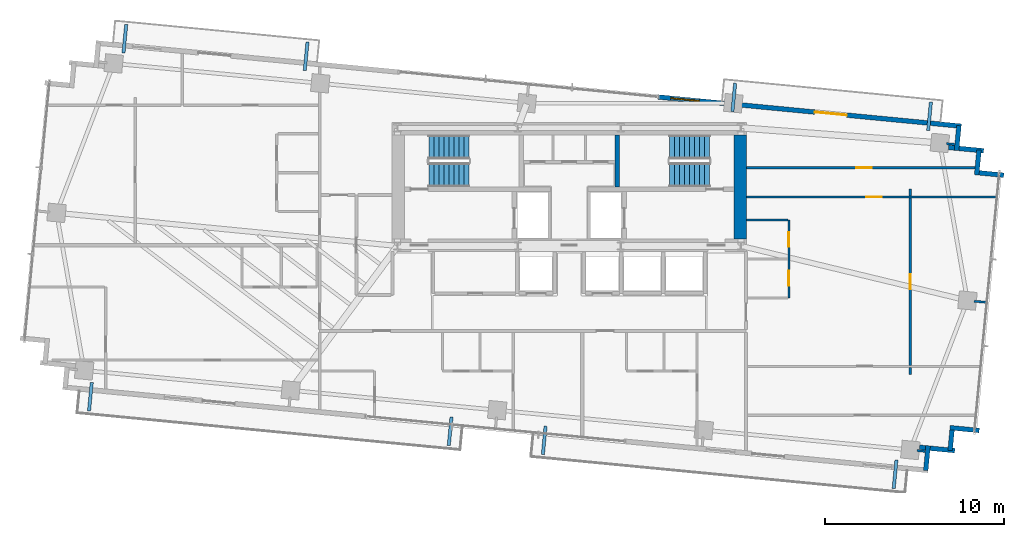
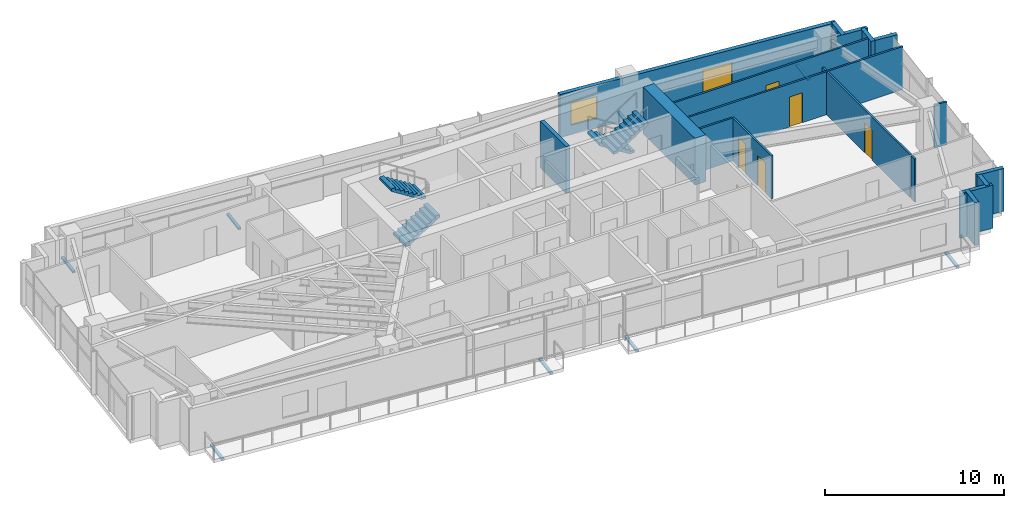
# One storey, part 18 of 20: 21 walls, 8 discrete accessories, 6 doors, 4 stair flights, 1 window, 7 openings, 2 elements without a shape of their own.
"""IFC4 building model written with IfcOpenShell, lengths in metres."""

from ifc_helpers import new_model, si_unit, direction, frame, frame_2d, origin, origin_2d, place, context, subcontext, project, spatial, polyline, rectangle, outline, extrude, source, transform, mapped, material, layer, layer_set, type_object, type_shapes, element, fill, aggregate, save


model = new_model("IFC4")

# Units and contexts
model_context = context("Model", 3, precision=1e-05, world=origin(), true_north=direction((0.0, 1.0)))
body_context = subcontext(model_context, "Body", "Model", "MODEL_VIEW")
ifc_project = project(units=[si_unit("LENGTHUNIT", "METRE"), si_unit("AREAUNIT", "SQUARE_METRE"), si_unit("VOLUMEUNIT", "CUBIC_METRE"), si_unit("PLANEANGLEUNIT", "RADIAN"), si_unit("MASSUNIT", "GRAM", prefix="KILO")], contexts=[model_context])

# Site, building, storey
site_placement = place(None, origin())
site = spatial("IfcSite", under=ifc_project, at=site_placement, CompositionType="ELEMENT")
building_placement = place(site_placement, origin())
building = spatial("IfcBuilding", under=site, at=building_placement, Name="Astriad Promenade Condominiums", CompositionType="ELEMENT")
storey_placement = place(building_placement, frame((0.0, 0.0, 137.39990234375)))
storey = spatial("IfcBuildingStorey", under=building, at=storey_placement, Name="L39", CompositionType="ELEMENT", Elevation=137.39990234375)

# Walls
ifc_material_1 = material(Name="Concrete C60/75", Category="concrete")
ifc_layer_1 = layer(ifc_material_1, 0.699951171875)
ifc_layer_set_1 = layer_set([ifc_layer_1], Name="Concrete C60/75")
wall_type_1 = type_object("IfcWallType", Name="CW-SHEAR-700", PredefinedType="SHEAR", material=ifc_layer_set_1)
wall_1_placement = place(storey_placement, frame((45.550048828125, 17.802001953125, 0.0), z_axis=(0.0, 0.0, 1.0), x_axis=(0.0, 1.0, 0.0)))
element("IfcWall", 1, at=wall_1_placement, inside=storey, type_object=wall_type_1, Name="CW-CORE-E-L39", PredefinedType="SHEAR", context=body_context, shape_type="SweptSolid", body=[
    extrude(rectangle(XDim=5.7958984375, YDim=0.699951171875, at=frame_2d((2.89794921875, 0.0))), origin(), (0.0, 0.0, 1.0), 3.2001953125),
])
ifc_material_2 = material(Name="Concrete C50/60", Category="concrete")
ifc_layer_2 = layer(ifc_material_2, 0.25)
ifc_layer_set_2 = layer_set([ifc_layer_2], Name="Concrete C50/60")
wall_type_2 = type_object("IfcWallType", Name="WALL-CORE-INT-250", PredefinedType="SOLIDWALL", material=ifc_layer_set_2)
wall_2_placement = place(storey_placement, frame((38.675048828125, 20.701904296875, 0.0), z_axis=(0.0, 0.0, 1.0), x_axis=(0.0, 1.0, 0.0)))
element("IfcWall", 2, at=wall_2_placement, inside=storey, type_object=wall_type_2, Name="CW-ST2-W-L39", PredefinedType="SOLIDWALL", context=body_context, shape_type="SweptSolid", body=[
    extrude(rectangle(XDim=2.89599609375, YDim=0.25, at=frame_2d((1.447998046875, 0.0))), origin(), (0.0, 0.0, 1.0), 3.2001953125),
])

# Wall, openings, door, window
ifc_material_3 = material(Name="Precast concrete C50/60", Category="concrete")
ifc_layer_3 = layer(ifc_material_3, 0.260009765625)
ifc_layer_set_3 = layer_set([ifc_layer_3], Name="Precast concrete C50/60")
wall_type_3 = type_object("IfcWallType", Name="WALL-EXT-TWR-260", PredefinedType="STANDARD", material=ifc_layer_set_3)
wall_3_placement = place(storey_placement, frame((40.9833984375, 25.726806640625, 0.0), z_axis=(0.0, 0.0, 1.0), x_axis=(0.995395844771, -0.095849424686, 0.0)))
wall_3 = element("IfcWall", 3, at=wall_3_placement, inside=storey, type_object=wall_type_3, Name="W-EXT-L39-N2", PredefinedType="STANDARD", context=body_context, shape_type="SweptSolid", body=[
    extrude(rectangle(XDim=17.009765625, YDim=0.260009765625, at=frame_2d((8.5048828125, 0.0))), origin(), (0.0, 0.0, 1.0), 2.940185546875),
])
opening_1_placement = place(wall_3_placement, frame((8.7900390625, 0.0, 0.0)))
opening_1 = element("IfcOpeningElement", 4, at=opening_1_placement, cuts=wall_3, Name="Opening BD-1822-SLD", PredefinedType="OPENING", context=body_context, shape_type="SweptSolid", body=[
    extrude(rectangle(XDim=1.800048828125, YDim=2.06005859375, at=frame_2d((0.89990234375, 1.030029296875))), frame((0.0, 0.139892578125, 0.0), z_axis=(0.0, -1.0, 0.0), x_axis=(1.0, 0.0, 0.0)), (0.0, 0.0, 1.0), 0.280029296875),
])
opening_2_placement = place(wall_3_placement, frame((0.699951171875, 0.0, 0.64990234375)))
opening_2 = element("IfcOpeningElement", 5, at=opening_2_placement, cuts=wall_3, Name="Opening WIN-TWR-1620", PredefinedType="OPENING", context=body_context, shape_type="SweptSolid", body=[
    extrude(rectangle(XDim=1.60009765625, YDim=1.5, at=frame_2d((0.800048828125, 0.75))), frame((0.0, 0.139892578125, 0.0), z_axis=(0.0, -1.0, 0.0), x_axis=(1.0, 0.0, 0.0)), (0.0, 0.0, 1.0), 0.280029296875),
])
ifc_material_4 = material(Name="Thermally Broken Aluminium Sliding Balcony Door", Category="aluminium")
door_type_1 = type_object("IfcDoorType", Name="BD-1822-SLD", OperationType="NOTDEFINED", PredefinedType="DOOR", material=ifc_material_4)
shared_shape_1 = source(origin(), body_context, "Body", "SweptSolid", [
    extrude(rectangle(XDim=1.800048828125, YDim=2.06005859375, at=frame_2d((0.89990234375, 1.030029296875))), frame((0.0, 0.02490234375, 0.0), z_axis=(0.0, -1.0, 0.0), x_axis=(1.0, 0.0, 0.0)), (0.0, 0.0, 1.0), 0.050048828125),
])
type_shapes(door_type_1, [shared_shape_1])
door_1_placement = place(opening_1_placement, origin())
door_1 = element("IfcDoor", 6, at=door_1_placement, inside=storey, type_object=door_type_1, Name="BD-L39-NE", OperationType="SLIDING_TO_RIGHT", OverallHeight=2.06005859375, OverallWidth=1.800048828125, PredefinedType="DOOR", context=body_context, shape_type="MappedRepresentation", body=[
    mapped(shared_shape_1, transform((0.0, 0.0, 0.0), scale=1.0)),
])
fill(opening_1, door_1)
ifc_material_5 = material(Name="Dark Tinted Triple-Glazed Aluminium Window", Category="aluminium")
window_type = type_object("IfcWindowType", Name="WIN-TWR-1620", PartitioningType="SINGLE_PANEL", PredefinedType="WINDOW", material=ifc_material_5)
shared_shape_2 = source(origin(), body_context, "Body", "SweptSolid", [
    extrude(rectangle(XDim=1.60009765625, YDim=1.5, at=frame_2d((0.800048828125, 0.75))), frame((0.0, 0.030029296875, 0.0), z_axis=(0.0, -1.0, 0.0), x_axis=(1.0, 0.0, 0.0)), (0.0, 0.0, 1.0), 0.06005859375),
])
type_shapes(window_type, [shared_shape_2])
window_placement = place(opening_2_placement, origin())
window = element("IfcWindow", 7, at=window_placement, inside=storey, type_object=window_type, Name="WIN-L39-NE", OverallHeight=1.5, OverallWidth=1.60009765625, PartitioningType="SINGLE_PANEL", PredefinedType="WINDOW", context=body_context, shape_type="MappedRepresentation", body=[
    mapped(shared_shape_2, transform((0.0, 0.0, 0.0), scale=1.0)),
])
fill(opening_2, window)

# Walls
wall_4_placement = place(storey_placement, frame((57.787109375, 24.123779296875, 0.0), z_axis=(0.0, 0.0, 1.0), x_axis=(-0.095915846097, -0.995389446633, 0.0)))
element("IfcWall", 8, at=wall_4_placement, inside=storey, type_object=wall_type_3, Name="W-SER-L39-09", PredefinedType="STANDARD", context=body_context, shape_type="SweptSolid", body=[
    extrude(rectangle(XDim=1.394775390625, YDim=0.260009765625, at=frame_2d((0.697265625, 0.0))), origin(), (0.0, 0.0, 1.0), 2.940185546875),
])
wall_5_placement = place(storey_placement, frame((57.199951171875, 22.909423828125, 0.0), z_axis=(0.0, 0.0, 1.0), x_axis=(0.995401789159, -0.095787672171, 0.0)))
element("IfcWall", 9, at=wall_5_placement, inside=storey, type_object=wall_type_3, Name="W-SER-L39-10", PredefinedType="STANDARD", context=body_context, shape_type="SweptSolid", body=[
    extrude(rectangle(XDim=1.977783203125, YDim=0.260009765625, at=frame_2d((0.98876953125, 0.0))), origin(), (0.0, 0.0, 1.0), 2.940185546875),
])
for number, where, z_axis, x_axis, name in (
    (10, (58.91162109375, 22.759765625, 0.0), (0.0, 0.0, 1.0), (-0.096072523012, -0.995374336781, 0.0), "W-SER-L39-11"),
    (11, (58.904541015625, 21.489501953125, 0.0), (0.0, 0.0, 1.0), (0.995391056452, -0.09589913835, 0.0), "W-SER-L39-12"),
):
    element("IfcWall", number, at=place(storey_placement, frame(where, z_axis=z_axis, x_axis=x_axis)), inside=storey, type_object=wall_type_3, Name=name, PredefinedType="STANDARD", context=body_context, shape_type="SweptSolid", body=[
        extrude(rectangle(XDim=1.39501953125, YDim=0.260009765625, at=frame_2d((0.697509765625, 0.0))), origin(), (0.0, 0.0, 1.0), 2.940185546875),
    ])
wall_6_placement = place(storey_placement, frame((58.918701171875, 7.081787109375, 0.0), z_axis=(0.0, 0.0, 1.0), x_axis=(-0.995393194909, 0.095876939504, 0.0)))
element("IfcWall", 12, at=wall_6_placement, inside=storey, type_object=wall_type_3, Name="W-SER-L39-14", PredefinedType="STANDARD", context=body_context, shape_type="SweptSolid", body=[
    extrude(rectangle(XDim=1.639892578125, YDim=0.260009765625, at=frame_2d((0.81982421875, 0.0))), origin(), (0.0, 0.0, 1.0), 2.940185546875),
])
wall_7_placement = place(storey_placement, frame((57.40478515625, 7.112060546875, 0.0), z_axis=(0.0, 0.0, 1.0), x_axis=(-0.095971333708, -0.995384098279, 0.0)))
element("IfcWall", 13, at=wall_7_placement, inside=storey, type_object=wall_type_3, Name="W-SER-L39-15", PredefinedType="STANDARD", context=body_context, shape_type="SweptSolid", body=[
    extrude(rectangle(XDim=1.14990234375, YDim=0.260009765625, at=frame_2d((0.574951171875, 0.0))), origin(), (0.0, 0.0, 1.0), 2.940185546875),
])
wall_8_placement = place(storey_placement, frame((57.5546875, 5.95751953125, 0.0), z_axis=(0.0, 0.0, 1.0), x_axis=(-0.995401789159, 0.095787672171, 0.0)))
element("IfcWall", 14, at=wall_8_placement, inside=storey, type_object=wall_type_3, Name="W-SER-L39-16", PredefinedType="STANDARD", context=body_context, shape_type="SweptSolid", body=[
    extrude(rectangle(XDim=1.977783203125, YDim=0.260009765625, at=frame_2d((0.98876953125, 0.0))), origin(), (0.0, 0.0, 1.0), 2.940185546875),
])
wall_9_placement = place(storey_placement, frame((56.064208984375, 6.231689453125, 0.0), z_axis=(0.0, 0.0, 1.0), x_axis=(-0.09589913835, -0.995391056452, 0.0)))
element("IfcWall", 15, at=wall_9_placement, inside=storey, type_object=wall_type_3, Name="W-SER-L39-17", PredefinedType="STANDARD", context=body_context, shape_type="SweptSolid", body=[
    extrude(rectangle(XDim=1.39501953125, YDim=0.260009765625, at=frame_2d((0.697509765625, 0.0))), origin(), (0.0, 0.0, 1.0), 2.940185546875),
])

# Wall, openings, doors
ifc_material_6 = material(Name="Acoustic Metal-Stud Gypsum Partition")
ifc_layer_4 = layer(ifc_material_6, 0.1201171875)
ifc_layer_set_4 = layer_set([ifc_layer_4], Name="Acoustic Metal-Stud Gypsum Partition")
wall_type_4 = type_object("IfcWallType", Name="WALL-PART-120", PredefinedType="PARTITIONING", material=ifc_layer_set_4)
wall_10_placement = place(storey_placement, frame((48.280029296875, 14.5, 0.0), z_axis=(0.0, 0.0, 1.0), x_axis=(0.0, 1.0, 0.0)))
wall_10 = element("IfcWall", 16, at=wall_10_placement, inside=storey, type_object=wall_type_4, Name="PT-L39-E1-PV", PredefinedType="PARTITIONING", context=body_context, shape_type="SweptSolid", body=[
    extrude(rectangle(XDim=4.35009765625, YDim=0.1201171875, at=frame_2d((2.175048828125, 0.0))), origin(), (0.0, 0.0, 1.0), 2.940185546875),
])
opening_3_placement = place(wall_10_placement, frame((0.6630859375, 0.0, 0.0)))
opening_3 = element("IfcOpeningElement", 17, at=opening_3_placement, cuts=wall_10, Name="Opening D-INT-085", PredefinedType="OPENING", context=body_context, shape_type="SweptSolid", body=[
    extrude(rectangle(XDim=0.85009765625, YDim=2.050048828125, at=frame_2d((0.425048828125, 1.02490234375))), frame((0.0, 0.070068359375, 0.0), z_axis=(0.0, -1.0, 0.0), x_axis=(1.0, 0.0, 0.0)), (0.0, 0.0, 1.0), 0.14013671875),
])
opening_4_placement = place(wall_10_placement, frame((2.863037109375, 0.0, 0.0)))
opening_4 = element("IfcOpeningElement", 18, at=opening_4_placement, cuts=wall_10, Name="Opening D-WET-080", PredefinedType="OPENING", context=body_context, shape_type="SweptSolid", body=[
    extrude(rectangle(XDim=0.800048828125, YDim=2.02001953125, at=frame_2d((0.39990234375, 1.010009765625))), frame((0.0, 0.070068359375, 0.0), z_axis=(0.0, -1.0, 0.0), x_axis=(1.0, 0.0, 0.0)), (0.0, 0.0, 1.0), 0.14013671875),
])
ifc_material_7 = material(Name="Moisture-Resistant Timber Bathroom Door", Category="wood")
door_type_2 = type_object("IfcDoorType", Name="D-WET-080", OperationType="NOTDEFINED", PredefinedType="DOOR", material=ifc_material_7)
shared_shape_3 = source(origin(), body_context, "Body", "SweptSolid", [
    extrude(rectangle(XDim=0.800048828125, YDim=2.02001953125, at=frame_2d((0.39990234375, 1.010009765625))), frame((0.0, 0.02490234375, 0.0), z_axis=(0.0, -1.0, 0.0), x_axis=(1.0, 0.0, 0.0)), (0.0, 0.0, 1.0), 0.050048828125),
])
type_shapes(door_type_2, [shared_shape_3])
door_2_placement = place(opening_4_placement, origin())
door_2 = element("IfcDoor", 19, at=door_2_placement, inside=storey, type_object=door_type_2, Name="D-BTH-L39-E1", OperationType="SINGLE_SWING_RIGHT", OverallHeight=2.02001953125, OverallWidth=0.800048828125, PredefinedType="DOOR", context=body_context, shape_type="MappedRepresentation", body=[
    mapped(shared_shape_3, transform((0.0, 0.0, 0.0), scale=1.0)),
])
fill(opening_4, door_2)
ifc_material_8 = material(Name="Painted Solid-Core Timber Room Door", Category="wood")
door_type_3 = type_object("IfcDoorType", Name="D-INT-085", OperationType="NOTDEFINED", PredefinedType="DOOR", material=ifc_material_8)
shared_shape_4 = source(origin(), body_context, "Body", "SweptSolid", [
    extrude(rectangle(XDim=0.85009765625, YDim=2.050048828125, at=frame_2d((0.425048828125, 1.02490234375))), frame((0.0, 0.02490234375, 0.0), z_axis=(0.0, -1.0, 0.0), x_axis=(1.0, 0.0, 0.0)), (0.0, 0.0, 1.0), 0.050048828125),
])
type_shapes(door_type_3, [shared_shape_4])
door_3_placement = place(opening_3_placement, origin())
door_3 = element("IfcDoor", 20, at=door_3_placement, inside=storey, type_object=door_type_3, Name="D-KIT-L39-E1", OperationType="SINGLE_SWING_LEFT", OverallHeight=2.050048828125, OverallWidth=0.85009765625, PredefinedType="DOOR", context=body_context, shape_type="MappedRepresentation", body=[
    mapped(shared_shape_4, transform((0.0, 0.0, 0.0), scale=1.0)),
])
fill(opening_3, door_3)

# Wall
wall_11_placement = place(storey_placement, frame((45.902099609375, 18.85009765625, 0.0), z_axis=(0.0, 0.0, 1.0), x_axis=(1.0, 0.0, 0.0)))
element("IfcWall", 21, at=wall_11_placement, inside=storey, type_object=wall_type_4, Name="PT-L39-E1-PN", PredefinedType="PARTITIONING", context=body_context, shape_type="SweptSolid", body=[
    extrude(rectangle(XDim=2.31591796875, YDim=0.1201171875, at=frame_2d((1.157958984375, 0.0))), origin(), (0.0, 0.0, 1.0), 2.940185546875),
])

# Wall, opening, door
wall_12_placement = place(storey_placement, frame((45.902099609375, 21.76806640625, 0.0), z_axis=(0.0, 0.0, 1.0), x_axis=(1.0, 0.0, 0.0)))
wall_12 = element("IfcWall", 22, at=wall_12_placement, inside=storey, type_object=wall_type_4, Name="PT-L39-E1-B1", PredefinedType="PARTITIONING", context=body_context, shape_type="SweptSolid", body=[
    extrude(rectangle(XDim=12.78125, YDim=0.1201171875, at=frame_2d((6.390625, 0.0))), origin(), (0.0, 0.0, 1.0), 2.940185546875),
])
opening_5_placement = place(wall_12_placement, frame((6.14599609375, 0.0, 0.0)))
opening_5 = element("IfcOpeningElement", 23, at=opening_5_placement, cuts=wall_12, Name="Opening D-INT-085", PredefinedType="OPENING", context=body_context, shape_type="SweptSolid", body=[
    extrude(rectangle(XDim=0.85009765625, YDim=2.050048828125, at=frame_2d((0.425048828125, 1.02490234375))), frame((0.0, 0.070068359375, 0.0), z_axis=(0.0, -1.0, 0.0), x_axis=(1.0, 0.0, 0.0)), (0.0, 0.0, 1.0), 0.14013671875),
])
door_4_placement = place(opening_5_placement, origin())
door_4 = element("IfcDoor", 24, at=door_4_placement, inside=storey, type_object=door_type_3, Name="D-BD1-L39-E1", OperationType="SINGLE_SWING_LEFT", OverallHeight=2.050048828125, OverallWidth=0.85009765625, PredefinedType="DOOR", context=body_context, shape_type="MappedRepresentation", body=[
    mapped(shared_shape_4, transform((0.0, 0.0, 0.0), scale=1.0)),
])
fill(opening_5, door_4)

wall_13_placement = place(storey_placement, frame((45.902099609375, 20.135986328125, 0.0), z_axis=(0.0, 0.0, 1.0), x_axis=(1.0, 0.0, 0.0)))
wall_13 = element("IfcWall", 25, at=wall_13_placement, inside=storey, type_object=wall_type_4, Name="PT-L39-E1-WDN2", PredefinedType="PARTITIONING", context=body_context, shape_type="SweptSolid", body=[
    extrude(rectangle(XDim=14.062744140625, YDim=0.1201171875, at=frame_2d((7.03125, 0.0))), origin(), (0.0, 0.0, 1.0), 2.940185546875),
])
opening_6_placement = place(wall_13_placement, frame((6.7080078125, 0.0, 0.0)))
opening_6 = element("IfcOpeningElement", 26, at=opening_6_placement, cuts=wall_13, Name="Opening D-INT-085", PredefinedType="OPENING", context=body_context, shape_type="SweptSolid", body=[
    extrude(rectangle(XDim=0.85009765625, YDim=2.050048828125, at=frame_2d((0.425048828125, 1.02490234375))), frame((0.0, 0.070068359375, 0.0), z_axis=(0.0, -1.0, 0.0), x_axis=(1.0, 0.0, 0.0)), (0.0, 0.0, 1.0), 0.14013671875),
])
door_5_placement = place(opening_6_placement, origin())
door_5 = element("IfcDoor", 27, at=door_5_placement, inside=storey, type_object=door_type_3, Name="D-WDN2-L39-E1", OperationType="SINGLE_SWING_RIGHT", OverallHeight=2.050048828125, OverallWidth=0.85009765625, PredefinedType="DOOR", context=body_context, shape_type="MappedRepresentation", body=[
    mapped(shared_shape_4, transform((0.0, 0.0, 0.0), scale=1.0)),
])
fill(opening_6, door_5)

# Wall
wall_14_placement = place(storey_placement, frame((55.06494140625, 10.22412109375, 0.0), z_axis=(0.0, 0.0, 1.0), x_axis=(0.0, 1.0, 0.0)))
element("IfcWall", 28, at=wall_14_placement, inside=storey, type_object=wall_type_4, Name="PT-L39-E1-WDV3", PredefinedType="PARTITIONING", context=body_context, shape_type="SweptSolid", body=[
    extrude(rectangle(XDim=0.3779296875, YDim=0.1201171875, at=frame_2d((0.18896484375, 0.0))), origin(), (0.0, 0.0, 1.0), 2.940185546875),
])

# Wall, opening, door
wall_15_placement = place(storey_placement, frame((55.06494140625, 10.72607421875, 0.0), z_axis=(0.0, 0.0, 1.0), x_axis=(0.0, 1.0, 0.0)))
wall_15 = element("IfcWall", 29, at=wall_15_placement, inside=storey, type_object=wall_type_4, Name="PT-L39-E1-WDV3-S2", PredefinedType="PARTITIONING", context=body_context, shape_type="SweptSolid", body=[
    extrude(rectangle(XDim=9.347900390625, YDim=0.1201171875, at=frame_2d((4.673828125, 0.0))), origin(), (0.0, 0.0, 1.0), 2.940185546875),
])
opening_7_placement = place(wall_15_placement, frame((4.2490234375, 0.0, 0.0)))
opening_7 = element("IfcOpeningElement", 30, at=opening_7_placement, cuts=wall_15, Name="Opening D-INT-085", PredefinedType="OPENING", context=body_context, shape_type="SweptSolid", body=[
    extrude(rectangle(XDim=0.85009765625, YDim=2.050048828125, at=frame_2d((0.425048828125, 1.02490234375))), frame((0.0, 0.070068359375, 0.0), z_axis=(0.0, -1.0, 0.0), x_axis=(1.0, 0.0, 0.0)), (0.0, 0.0, 1.0), 0.14013671875),
])
door_6_placement = place(opening_7_placement, origin())
door_6 = element("IfcDoor", 31, at=door_6_placement, inside=storey, type_object=door_type_3, Name="D-WDV3-L39-E1", OperationType="SINGLE_SWING_LEFT", OverallHeight=2.050048828125, OverallWidth=0.85009765625, PredefinedType="DOOR", context=body_context, shape_type="MappedRepresentation", body=[
    mapped(shared_shape_4, transform((0.0, 0.0, 0.0), scale=1.0)),
])
fill(opening_7, door_6)

# Walls
wall_16_placement = place(storey_placement, frame((55.06494140625, 20.197998046875, 0.0), z_axis=(0.0, 0.0, 1.0), x_axis=(0.0, 1.0, 0.0)))
element("IfcWall", 32, at=wall_16_placement, inside=storey, type_object=wall_type_4, Name="PT-L39-E1-WDV3-S3", PredefinedType="PARTITIONING", context=body_context, shape_type="SweptSolid", body=[
    extrude(rectangle(XDim=0.3779296875, YDim=0.1201171875, at=frame_2d((0.18896484375, 0.0))), origin(), (0.0, 0.0, 1.0), 2.940185546875),
])
for number, where, z_axis, x_axis, name in (
    (33, (55.4453125, 5.959716796875, 0.0), (0.0, 0.0, 1.0), (0.995384576284, -0.09596637586, 0.0), "PT-PIL-L39-PC05-12"),
    (34, (57.09765625, 23.120361328125, 0.0), (0.0, 0.0, 1.0), (0.995384576284, -0.09596637586, 0.0), "PT-PIL-L39-PC10-17"),
):
    element("IfcWall", number, at=place(storey_placement, frame(where, z_axis=z_axis, x_axis=x_axis)), inside=storey, type_object=wall_type_4, Name=name, PredefinedType="PARTITIONING", context=body_context, shape_type="SweptSolid", body=[
        extrude(rectangle(XDim=0.4580078125, YDim=0.1201171875, at=frame_2d((0.22900390625, 0.0))), origin(), (0.0, 0.0, 1.0), 2.940185546875),
    ])
wall_17_placement = place(storey_placement, frame((58.640380859375, 14.31201171875, 0.0), z_axis=(0.0, 0.0, 1.0), x_axis=(0.995377786728, -0.096036772582, 0.0)))
element("IfcWall", 35, at=wall_17_placement, inside=storey, type_object=wall_type_4, Name="PT-PIL-L39-PC12-19", PredefinedType="PARTITIONING", context=body_context, shape_type="SweptSolid", body=[
    extrude(rectangle(XDim=0.760009765625, YDim=0.1201171875, at=frame_2d((0.3798828125, 0.0))), origin(), (0.0, 0.0, 1.0), 2.940185546875),
])

# Stair, stair flights
stair_type = type_object("IfcStairType", Name="STR-CORE-1350", PredefinedType="HALF_TURN_STAIR", material=ifc_material_2)
stair_1_placement = place(storey_placement, origin())
stair_1 = element("IfcStair", 36, at=stair_1_placement, inside=storey, type_object=stair_type, Name="L39 Enclosed Core Exit Stair ST-1", PredefinedType="HALF_TURN_STAIR")
stair_flight_type = type_object("IfcStairFlightType", Name="SFL-CORE-1350", PredefinedType="STRAIGHT", material=ifc_material_2)
shared_shape_5 = source(origin(), body_context, "Body", "SweptSolid", [
    extrude(outline(polyline([(0.0, 0.0), (0.0, 0.177734375), (0.280029296875, 0.177734375), (0.280029296875, 0.35546875), (0.56005859375, 0.35546875), (0.56005859375, 0.533447265625), (0.840087890625, 0.533447265625), (0.840087890625, 0.711181640625), (1.1201171875, 0.711181640625), (1.1201171875, 0.888916015625), (1.39990234375, 0.888916015625), (1.39990234375, 1.066650390625), (1.679931640625, 1.066650390625), (1.679931640625, 1.244384765625), (1.9599609375, 1.244384765625), (1.9599609375, 1.422119140625), (2.239990234375, 1.422119140625), (2.239990234375, 1.60009765625), (2.239990234375, 1.24462890625), (0.27978515625, 0.0), (0.0, 0.0)])), frame((0.0, 0.675048828125, 0.0), z_axis=(0.0, -1.0, 0.0), x_axis=(1.0, 0.0, 0.0)), (0.0, 0.0, 1.0), 1.35009765625),
])
type_shapes(stair_flight_type, [shared_shape_5])
stair_flight_1_placement = place(storey_placement, frame((28.14990234375, 21.375, 0.0), z_axis=(0.0, 0.0, 1.0), x_axis=(1.0, 0.0, 0.0)))
stair_flight_1 = element("IfcStairFlight", 37, at=stair_flight_1_placement, type_object=stair_flight_type, Name="ST-1 flight 1", NumberOfRisers=9, NumberOfTreads=8, PredefinedType="STRAIGHT", RiserHeight=0.177777778, TreadLength=0.28, context=body_context, shape_type="MappedRepresentation", body=[
    mapped(shared_shape_5, transform((0.0, 0.0, 0.0), scale=1.0)),
])
stair_flight_2_placement = place(storey_placement, frame((30.389892578125, 22.925048828125, 1.60009765625), z_axis=(0.0, 0.0, 1.0), x_axis=(-1.0, 0.0, 0.0)))
stair_flight_2 = element("IfcStairFlight", 38, at=stair_flight_2_placement, type_object=stair_flight_type, Name="ST-1 flight 2", NumberOfRisers=9, NumberOfTreads=8, PredefinedType="STRAIGHT", RiserHeight=0.177777778, TreadLength=0.28, context=body_context, shape_type="MappedRepresentation", body=[
    mapped(shared_shape_5, transform((0.0, 0.0, 0.0), scale=1.0)),
])
aggregate(stair_1, [stair_flight_1, stair_flight_2])

stair_2_placement = place(storey_placement, origin())
stair_2 = element("IfcStair", 39, at=stair_2_placement, inside=storey, type_object=stair_type, Name="L39 Enclosed Core Exit Stair ST-2", PredefinedType="HALF_TURN_STAIR")
stair_flight_3_placement = place(storey_placement, frame((43.85009765625, 22.925048828125, 0.0), z_axis=(0.0, 0.0, 1.0), x_axis=(-1.0, 0.0, 0.0)))
stair_flight_3 = element("IfcStairFlight", 40, at=stair_flight_3_placement, type_object=stair_flight_type, Name="ST-2 flight 1", NumberOfRisers=9, NumberOfTreads=8, PredefinedType="STRAIGHT", RiserHeight=0.177777778, TreadLength=0.28, context=body_context, shape_type="MappedRepresentation", body=[
    mapped(shared_shape_5, transform((0.0, 0.0, 0.0), scale=1.0)),
])
stair_flight_4_placement = place(storey_placement, frame((41.610107421875, 21.375, 1.60009765625), z_axis=(0.0, 0.0, 1.0), x_axis=(1.0, 0.0, 0.0)))
stair_flight_4 = element("IfcStairFlight", 41, at=stair_flight_4_placement, type_object=stair_flight_type, Name="ST-2 flight 2", NumberOfRisers=9, NumberOfTreads=8, PredefinedType="STRAIGHT", RiserHeight=0.177777778, TreadLength=0.28, context=body_context, shape_type="MappedRepresentation", body=[
    mapped(shared_shape_5, transform((0.0, 0.0, 0.0), scale=1.0)),
])
aggregate(stair_2, [stair_flight_3, stair_flight_4])

# Discrete accessories
ifc_material_9 = material(Name="Steel ASTM A572 Grade 50", Category="steel")
discrete_accessory_type = type_object("IfcDiscreteAccessoryType", Name="STEEL BALCONY OUTRIGGER BRACKET", PredefinedType="BRACKET", material=ifc_material_9)
shared_shape_6 = source(origin(), body_context, "Body", "SweptSolid", [
    extrude(rectangle(XDim=1.60009765625, YDim=0.179931640625, at=origin_2d()), origin(), (0.0, 0.0, 1.0), 0.1220703125),
])
type_shapes(discrete_accessory_type, [shared_shape_6])
for number, where, z_axis, x_axis, name in (
    (42, (9.230224609375, 8.972900390625, -0.33984375), (0.0, 0.0, 1.0), (-0.09584575252, -0.995396198367, 0.0), "Balcony Outrigger Bracket BAL-L39-SW-A"),
    (43, (29.34228515625, 7.03662109375, -0.33984375), (0.0, 0.0, 1.0), (-0.09584575252, -0.995396198367, 0.0), "Balcony Outrigger Bracket BAL-L39-SW-B"),
    (44, (34.60205078125, 6.530029296875, -0.33984375), (0.0, 0.0, 1.0), (-0.09584575252, -0.995396198367, 0.0), "Balcony Outrigger Bracket BAL-L39-SE-A"),
    (45, (54.21630859375, 4.641357421875, -0.33984375), (0.0, 0.0, 1.0), (-0.09584575252, -0.995396198367, 0.0), "Balcony Outrigger Bracket BAL-L39-SE-B"),
    (46, (11.15673828125, 28.98046875, -0.33984375), (0.0, 0.0, 1.0), (0.09584575252, 0.995396198367, 0.0), "Balcony Outrigger Bracket BAL-L39-NW-A"),
    (47, (21.291015625, 28.004638671875, -0.33984375), (0.0, 0.0, 1.0), (0.09584575252, 0.995396198367, 0.0), "Balcony Outrigger Bracket BAL-L39-NW-B"),
    (48, (45.200439453125, 25.702392578125, -0.33984375), (0.0, 0.0, 1.0), (0.09584575252, 0.995396198367, 0.0), "Balcony Outrigger Bracket BAL-L39-NE-A"),
    (49, (56.142578125, 24.648681640625, -0.33984375), (0.0, 0.0, 1.0), (0.09584575252, 0.995396198367, 0.0), "Balcony Outrigger Bracket BAL-L39-NE-B"),
):
    element("IfcDiscreteAccessory", number, at=place(storey_placement, frame(where, z_axis=z_axis, x_axis=x_axis)), inside=storey, type_object=discrete_accessory_type, Name=name, PredefinedType="BRACKET", context=body_context, shape_type="MappedRepresentation", body=[
        mapped(shared_shape_6, transform((0.0, 0.0, 0.0), scale=1.0)),
    ])

save(model, "model.ifc")
